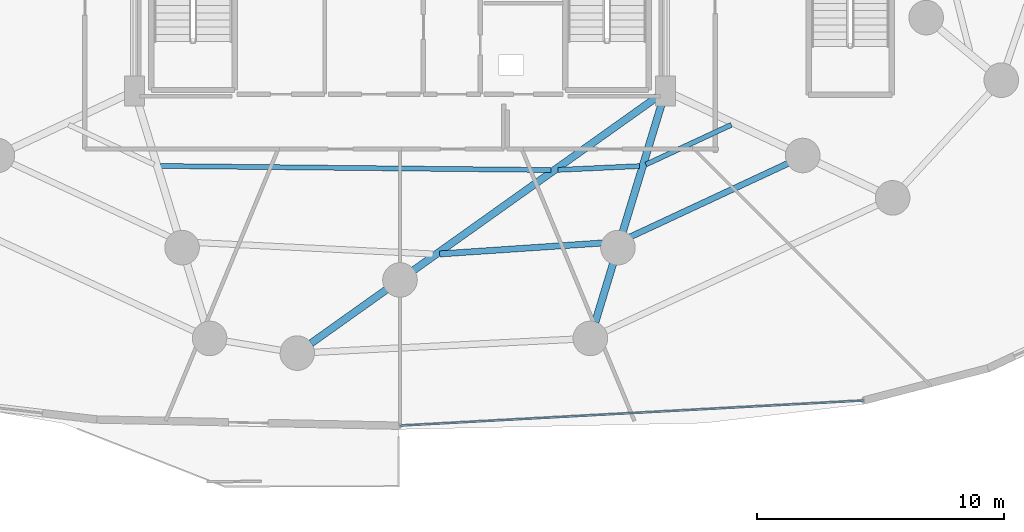
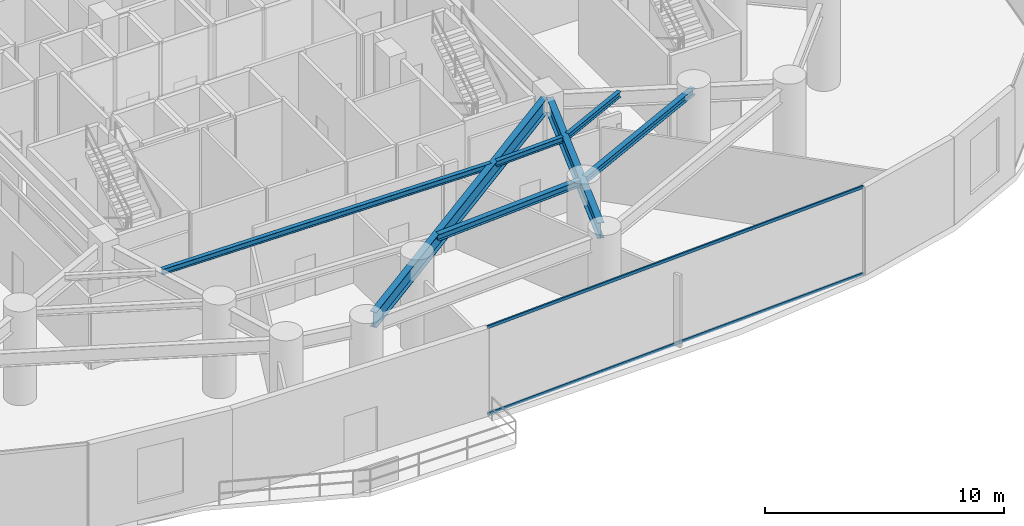
# One storey, part 10 of 30: 7 beams, 2 members, 1 element without a shape of its own.
"""IFC4 building model written with IfcOpenShell, lengths in metres."""

from ifc_helpers import new_model, si_unit, direction, frame, origin, origin_2d, place, context, subcontext, project, spatial, hollow_rectangle, i_section, extrude, material, material_profile, profile_set, type_object, element, aggregate, save


model = new_model("IFC4")

# Units and contexts
model_context = context("Model", 3, precision=1e-05, world=origin(), true_north=direction((0.0, 1.0)))
body_context = subcontext(model_context, "Body", "Model", "MODEL_VIEW")
ifc_project = project(units=[si_unit("LENGTHUNIT", "METRE"), si_unit("AREAUNIT", "SQUARE_METRE"), si_unit("VOLUMEUNIT", "CUBIC_METRE"), si_unit("PLANEANGLEUNIT", "RADIAN"), si_unit("MASSUNIT", "GRAM", prefix="KILO")], contexts=[model_context])

# Site, building, storey
site_placement = place(None, origin())
site = spatial("IfcSite", under=ifc_project, at=site_placement, CompositionType="ELEMENT")
building_placement = place(site_placement, origin())
building = spatial("IfcBuilding", under=site, at=building_placement, Name="Vorneva Point Tower", CompositionType="ELEMENT")
storey_placement = place(building_placement, frame((0.0, 0.0, 9.60009765625)))
storey = spatial("IfcBuildingStorey", under=building, at=storey_placement, Name="L02", CompositionType="ELEMENT", Elevation=9.60009765625)

# Beams
ifc_material_1 = material(Name="Steel S355", Category="steel")
ifc_material_profile_1 = material_profile(ifc_material_1, i_section(OverallWidth=0.300048828125, OverallDepth=0.7880859375, WebThickness=0.014404296875, FlangeThickness=0.02197265625, at=origin_2d()), Name="80Sh1")
ifc_profile_set_1 = profile_set([ifc_material_profile_1], Name="Steel S355")
beam_type_1 = type_object("IfcBeamType", Name="BM-GRD-80Sh1", PredefinedType="USERDEFINED", material=ifc_profile_set_1)
beam_1_placement = place(storey_placement, frame((34.40087890625, 6.23876953125, 4.0859375), z_axis=(0.814753215517, 0.579807897328, 0.0), x_axis=(-0.579807897328, 0.814753215517, 0.0)))
element("IfcBeam", 1, at=beam_1_placement, inside=storey, type_object=beam_type_1, Name="L02 Radial Primary Girder 13", ObjectType="GIRDER", PredefinedType="USERDEFINED", context=body_context, shape_type="SweptSolid", body=[
    extrude(i_section(OverallWidth=0.300048828125, OverallDepth=0.7880859375, WebThickness=0.014404296875, FlangeThickness=0.02197265625, at=origin_2d()), origin(), (0.0, 0.0, 1.0), 17.271484375),
])
beam_2_placement = place(storey_placement, frame((45.9033203125, 7.093505859375, 4.0859375), z_axis=(0.291056642682, 0.956705822471, 0.0), x_axis=(-0.956705822471, 0.291056642682, 0.0)))
element("IfcBeam", 2, at=beam_2_placement, inside=storey, type_object=beam_type_1, Name="L02 Radial Primary Girder 14", ObjectType="GIRDER", PredefinedType="USERDEFINED", context=body_context, shape_type="SweptSolid", body=[
    extrude(i_section(OverallWidth=0.300048828125, OverallDepth=0.7880859375, WebThickness=0.014404296875, FlangeThickness=0.02197265625, at=origin_2d()), origin(), (0.0, 0.0, 1.0), 9.43994140625),
])
ifc_material_profile_2 = material_profile(ifc_material_1, i_section(OverallWidth=0.199951171875, OverallDepth=0.291015625, WebThickness=0.008056640625, FlangeThickness=0.010986328125, at=origin_2d()), Name="30Sh1")
ifc_profile_set_2 = profile_set([ifc_material_profile_2], Name="Steel S355")
beam_type_2 = type_object("IfcBeamType", Name="BM-SEC-30Sh1", PredefinedType="BEAM", material=ifc_profile_set_2)
beam_3_placement = place(storey_placement, frame((28.311279296875, 13.413818359375, 4.33447265625), z_axis=(0.999946267639, -0.010366380001, 0.0), x_axis=(0.010366380001, 0.999946267639, 0.0)))
element("IfcBeam", 3, at=beam_3_placement, inside=storey, type_object=beam_type_2, Name="L02 Secondary Floor Beam 2.12", PredefinedType="BEAM", context=body_context, shape_type="SweptSolid", body=[
    extrude(i_section(OverallWidth=0.199951171875, OverallDepth=0.291015625, WebThickness=0.008056640625, FlangeThickness=0.010986328125, at=origin_2d()), origin(), (0.0, 0.0, 1.0), 15.802734375),
])
beam_4_placement = place(storey_placement, frame((44.389404296875, 13.255126953125, 4.33447265625), z_axis=(0.998915294273, 0.046564308945, 0.0), x_axis=(-0.046564308945, 0.998915294273, 0.0)))
element("IfcBeam", 4, at=beam_4_placement, inside=storey, type_object=beam_type_2, Name="L02 Secondary Floor Beam 2.13", PredefinedType="BEAM", context=body_context, shape_type="SweptSolid", body=[
    extrude(i_section(OverallWidth=0.199951171875, OverallDepth=0.291015625, WebThickness=0.008056640625, FlangeThickness=0.010986328125, at=origin_2d()), origin(), (0.0, 0.0, 1.0), 3.30322265625),
])
beam_5_placement = place(storey_placement, frame((47.951904296875, 13.473388671875, 4.33447265625), z_axis=(0.906841209761, 0.421472443085, 0.0), x_axis=(-0.421472443085, 0.906841209761, 0.0)))
element("IfcBeam", 5, at=beam_5_placement, inside=storey, type_object=beam_type_2, Name="L02 Secondary Floor Beam 2.14", PredefinedType="BEAM", context=body_context, shape_type="SweptSolid", body=[
    extrude(i_section(OverallWidth=0.199951171875, OverallDepth=0.291015625, WebThickness=0.008056640625, FlangeThickness=0.010986328125, at=origin_2d()), origin(), (0.0, 0.0, 1.0), 3.813232421875),
])
ifc_material_profile_3 = material_profile(ifc_material_1, i_section(OverallWidth=0.2490234375, OverallDepth=0.333984375, WebThickness=0.008056640625, FlangeThickness=0.010986328125, at=origin_2d()), Name="35Sh1")
ifc_profile_set_3 = profile_set([ifc_material_profile_3], Name="Steel S355")
beam_type_3 = type_object("IfcBeamType", Name="BM-SEC-35Sh1", PredefinedType="BEAM", material=ifc_profile_set_3)
beam_6_placement = place(storey_placement, frame((39.6044921875, 9.853271484375, 4.31298828125), z_axis=(0.997734068921, 0.067280961012, 0.0), x_axis=(-0.067280961012, 0.997734068921, 0.0)))
element("IfcBeam", 6, at=beam_6_placement, inside=storey, type_object=beam_type_3, Name="L02 Secondary Floor Beam 1.13", PredefinedType="BEAM", context=body_context, shape_type="SweptSolid", body=[
    extrude(i_section(OverallWidth=0.2490234375, OverallDepth=0.333984375, WebThickness=0.008056640625, FlangeThickness=0.010986328125, at=origin_2d()), origin(), (0.0, 0.0, 1.0), 7.166748046875),
])
beam_7_placement = place(storey_placement, frame((47.017578125, 10.403076171875, 4.31298828125), z_axis=(0.906411487063, 0.422395805045, 0.0), x_axis=(-0.422395805045, 0.906411487063, 0.0)))
element("IfcBeam", 7, at=beam_7_placement, inside=storey, type_object=beam_type_3, Name="L02 Secondary Floor Beam 1.14", PredefinedType="BEAM", context=body_context, shape_type="SweptSolid", body=[
    extrude(i_section(OverallWidth=0.2490234375, OverallDepth=0.333984375, WebThickness=0.008056640625, FlangeThickness=0.010986328125, at=origin_2d()), origin(), (0.0, 0.0, 1.0), 7.94384765625),
])

# Curtain wall, members
ifc_material_2 = material(Name="Pale anodised aluminium", Category="aluminium")
curtain_wall_type = type_object("IfcCurtainWallType", Name="CW-POD-SYS", PredefinedType="NOTDEFINED", material=ifc_material_2)
curtain_wall_placement = place(storey_placement, origin())
curtain_wall = element("IfcCurtainWall", 8, at=curtain_wall_placement, inside=storey, type_object=curtain_wall_type, Name="L02 Unitised Curtain Wall CW-L02-R04", PredefinedType="NOTDEFINED")
ifc_material_profile_4 = material_profile(ifc_material_2, hollow_rectangle(XDim=0.074951171875, YDim=0.14990234375, WallThickness=0.00390625, at=origin_2d()), Name="AL-TRN 150x75x4")
ifc_profile_set_4 = profile_set([ifc_material_profile_4], Name="Pale anodised aluminium")
member_type = type_object("IfcMemberType", Name="CW-TRN-150", PredefinedType="USERDEFINED", material=ifc_profile_set_4)
member_1_placement = place(storey_placement, frame((38.0, 2.901611328125, 0.02001953125), z_axis=(0.998531897343, 0.054166871696, 0.0), x_axis=(-0.054166871696, 0.998531897343, 0.0)))
member_1 = element("IfcMember", 9, at=member_1_placement, type_object=member_type, Name="CW-L02-R04 Transom 01.1", ObjectType="TRANSOM", PredefinedType="USERDEFINED", context=body_context, shape_type="SweptSolid", body=[
    extrude(hollow_rectangle(XDim=0.074951171875, YDim=0.14990234375, WallThickness=0.00390625, at=origin_2d()), origin(), (0.0, 0.0, 1.0), 18.781494140625),
])
member_2_placement = place(storey_placement, frame((38.0, 2.901611328125, 4.4599609375), z_axis=(0.998531897343, 0.054166871696, 0.0), x_axis=(-0.054166871696, 0.998531897343, 0.0)))
member_2 = element("IfcMember", 10, at=member_2_placement, type_object=member_type, Name="CW-L02-R04 Transom 01.2", ObjectType="TRANSOM", PredefinedType="USERDEFINED", context=body_context, shape_type="SweptSolid", body=[
    extrude(hollow_rectangle(XDim=0.074951171875, YDim=0.14990234375, WallThickness=0.00390625, at=origin_2d()), origin(), (0.0, 0.0, 1.0), 18.781494140625),
])
aggregate(curtain_wall, [member_1, member_2])

save(model, "model.ifc")
